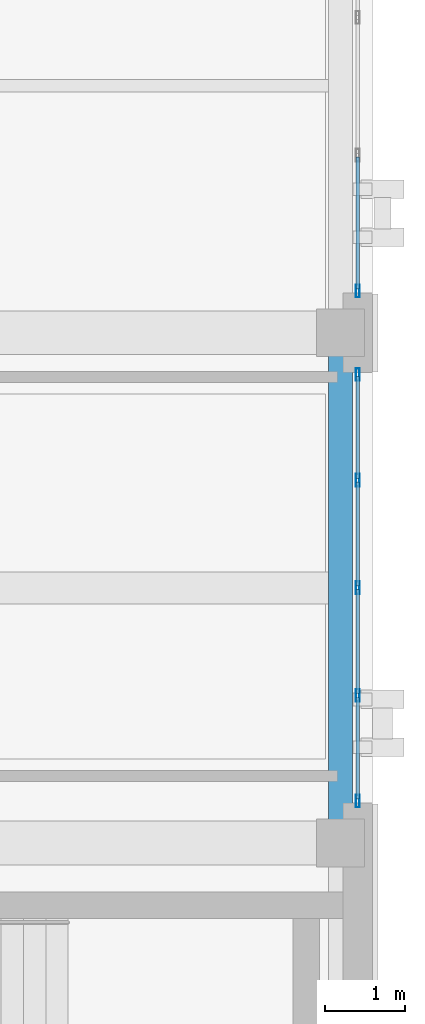
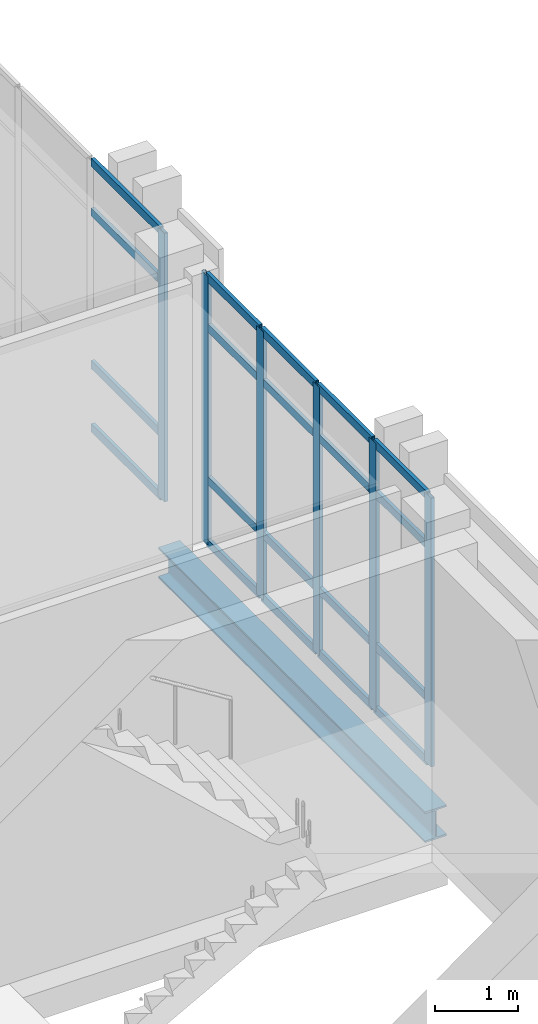
# One storey, part 41 of 77: 26 members, 1 beam, 2 elements without a shape of their own.
"""IFC4 building model written with IfcOpenShell, lengths in metres."""

from ifc_helpers import new_model, si_unit, direction, frame, origin, origin_2d, place, context, subcontext, project, spatial, hollow_rectangle, i_section, extrude, material, layer, layer_set, material_profile, profile_set, type_object, element, aggregate, save


model = new_model("IFC4")

# Units and contexts
model_context = context("Model", 3, precision=1e-05, world=origin(), true_north=direction((0.0, 1.0)))
body_context = subcontext(model_context, "Body", "Model", "MODEL_VIEW")
ifc_project = project(units=[si_unit("LENGTHUNIT", "METRE"), si_unit("AREAUNIT", "SQUARE_METRE"), si_unit("VOLUMEUNIT", "CUBIC_METRE"), si_unit("PLANEANGLEUNIT", "RADIAN"), si_unit("MASSUNIT", "GRAM", prefix="KILO")], contexts=[model_context])

# Site, building, storey
site_placement = place(None, origin())
site = spatial("IfcSite", under=ifc_project, at=site_placement, CompositionType="ELEMENT")
building_placement = place(site_placement, origin())
building = spatial("IfcBuilding", under=site, at=building_placement, Name="Qalavern Law Courts", CompositionType="ELEMENT")
storey_placement = place(building_placement, frame((0.0, 0.0, 27.0)))
storey = spatial("IfcBuildingStorey", under=building, at=storey_placement, Name="L06", CompositionType="ELEMENT", Elevation=27.0)

# Curtain wall, members
ifc_material_1 = material(Name="Anodised aluminium and insulated glazing", Category="aluminium")
ifc_layer = layer(ifc_material_1, 0.159912109375)
ifc_layer_set = layer_set([ifc_layer], Name="Anodised aluminium and insulated glazing")
curtain_wall_type = type_object("IfcCurtainWallType", Name="ENV-CW-CHAMB", PredefinedType="USERDEFINED", material=ifc_layer_set)
curtain_wall_1_placement = place(storey_placement, origin())
curtain_wall_1 = element("IfcCurtainWall", 1, at=curtain_wall_1_placement, inside=storey, type_object=curtain_wall_type, Name="V4 unitised curtain wall L06 east 4", ObjectType="UNITISED CURTAIN WALL", PredefinedType="USERDEFINED")
ifc_material_2 = material(Name="Anodised aluminium", Category="aluminium")
ifc_material_profile_1 = material_profile(ifc_material_2, hollow_rectangle(XDim=0.048095703125, YDim=0.159912109375, WallThickness=0.00390625, at=origin_2d()), Name="ALU MULLION 48x160")
ifc_profile_set_1 = profile_set([ifc_material_profile_1], Name="Anodised aluminium")
member_type_1 = type_object("IfcMemberType", Name="ENV-CWM-48x160", PredefinedType="MULLION", material=ifc_profile_set_1)
member_1_placement = place(storey_placement, frame((106.614990234375, 73.323974609375, 0.0), z_axis=(0.0, 0.0, 1.0), x_axis=(-1.0, 0.0, 0.0)))
member_1 = element("IfcMember", 2, at=member_1_placement, type_object=member_type_1, Name="CW-04 mullion 1", PredefinedType="MULLION", context=body_context, shape_type="SweptSolid", body=[
    extrude(hollow_rectangle(XDim=0.048095703125, YDim=0.159912109375, WallThickness=0.00390625, at=origin_2d()), origin(), (0.0, 0.0, 1.0), 3.93505859375),
])
member_2_placement = place(storey_placement, frame((106.614990234375, 74.64990234375, 0.0), z_axis=(0.0, 0.0, 1.0), x_axis=(-1.0, 0.0, 0.0)))
member_2 = element("IfcMember", 3, at=member_2_placement, type_object=member_type_1, Name="CW-04 mullion 2", PredefinedType="MULLION", context=body_context, shape_type="SweptSolid", body=[
    extrude(hollow_rectangle(XDim=0.048095703125, YDim=0.159912109375, WallThickness=0.00390625, at=origin_2d()), origin(), (0.0, 0.0, 1.0), 3.93505859375),
])
member_3_placement = place(storey_placement, frame((106.614990234375, 76.0, 0.0), z_axis=(0.0, 0.0, 1.0), x_axis=(-1.0, 0.0, 0.0)))
member_3 = element("IfcMember", 4, at=member_3_placement, type_object=member_type_1, Name="CW-04 mullion 3", PredefinedType="MULLION", context=body_context, shape_type="SweptSolid", body=[
    extrude(hollow_rectangle(XDim=0.048095703125, YDim=0.159912109375, WallThickness=0.00390625, at=origin_2d()), origin(), (0.0, 0.0, 1.0), 3.93505859375),
])
member_4_placement = place(storey_placement, frame((106.614990234375, 77.35009765625, 0.0), z_axis=(0.0, 0.0, 1.0), x_axis=(-1.0, 0.0, 0.0)))
member_4 = element("IfcMember", 5, at=member_4_placement, type_object=member_type_1, Name="CW-04 mullion 4", PredefinedType="MULLION", context=body_context, shape_type="SweptSolid", body=[
    extrude(hollow_rectangle(XDim=0.048095703125, YDim=0.159912109375, WallThickness=0.00390625, at=origin_2d()), origin(), (0.0, 0.0, 1.0), 3.93505859375),
])
member_5_placement = place(storey_placement, frame((106.614990234375, 78.676025390625, 0.0), z_axis=(0.0, 0.0, 1.0), x_axis=(-1.0, 0.0, 0.0)))
member_5 = element("IfcMember", 6, at=member_5_placement, type_object=member_type_1, Name="CW-04 mullion 5", PredefinedType="MULLION", context=body_context, shape_type="SweptSolid", body=[
    extrude(hollow_rectangle(XDim=0.048095703125, YDim=0.159912109375, WallThickness=0.00390625, at=origin_2d()), origin(), (0.0, 0.0, 1.0), 3.93505859375),
])

# Curtain wall, member
curtain_wall_2_placement = place(storey_placement, origin())
curtain_wall_2 = element("IfcCurtainWall", 7, at=curtain_wall_2_placement, inside=storey, type_object=curtain_wall_type, Name="V4 unitised curtain wall L06 east 5", ObjectType="UNITISED CURTAIN WALL", PredefinedType="USERDEFINED")
member_6_placement = place(storey_placement, frame((106.614990234375, 79.72412109375, 0.0), z_axis=(0.0, 0.0, 1.0), x_axis=(-1.0, 0.0, 0.0)))
member_6 = element("IfcMember", 8, at=member_6_placement, type_object=member_type_1, Name="CW-04 mullion 1", PredefinedType="MULLION", context=body_context, shape_type="SweptSolid", body=[
    extrude(hollow_rectangle(XDim=0.048095703125, YDim=0.159912109375, WallThickness=0.00390625, at=origin_2d()), origin(), (0.0, 0.0, 1.0), 3.93505859375),
])

# Member
ifc_material_profile_2 = material_profile(ifc_material_2, hollow_rectangle(XDim=0.048095703125, YDim=0.1201171875, WallThickness=0.00390625, at=origin_2d()), Name="ALU TRANSOM 48x120")
ifc_profile_set_2 = profile_set([ifc_material_profile_2], Name="Anodised aluminium")
member_type_2 = type_object("IfcMemberType", Name="ENV-CWT-48x120", PredefinedType="USERDEFINED", material=ifc_profile_set_2)
member_7_placement = place(storey_placement, frame((106.614990234375, 73.347900390625, 0.02392578125), z_axis=(0.0, 1.0, 0.0), x_axis=(-1.0, 0.0, 0.0)))
member_7 = element("IfcMember", 9, at=member_7_placement, type_object=member_type_2, Name="CW-04 transom 1.1", ObjectType="TRANSOM", PredefinedType="USERDEFINED", context=body_context, shape_type="SweptSolid", body=[
    extrude(hollow_rectangle(XDim=0.048095703125, YDim=0.1201171875, WallThickness=0.00390625, at=origin_2d()), origin(), (0.0, 0.0, 1.0), 1.278076171875),
])

member_8_placement = place(storey_placement, frame((106.614990234375, 73.347900390625, 0.949951171875), z_axis=(0.0, 1.0, 0.0), x_axis=(-1.0, 0.0, 0.0)))
member_8 = element("IfcMember", 10, at=member_8_placement, type_object=member_type_2, Name="CW-04 transom 1.2", ObjectType="TRANSOM", PredefinedType="USERDEFINED", context=body_context, shape_type="SweptSolid", body=[
    extrude(hollow_rectangle(XDim=0.048095703125, YDim=0.1201171875, WallThickness=0.00390625, at=origin_2d()), origin(), (0.0, 0.0, 1.0), 1.278076171875),
])

member_9_placement = place(storey_placement, frame((106.614990234375, 73.347900390625, 3.18505859375), z_axis=(0.0, 1.0, 0.0), x_axis=(-1.0, 0.0, 0.0)))
member_9 = element("IfcMember", 11, at=member_9_placement, type_object=member_type_2, Name="CW-04 transom 1.3", ObjectType="TRANSOM", PredefinedType="USERDEFINED", context=body_context, shape_type="SweptSolid", body=[
    extrude(hollow_rectangle(XDim=0.048095703125, YDim=0.1201171875, WallThickness=0.00390625, at=origin_2d()), origin(), (0.0, 0.0, 1.0), 1.278076171875),
])

member_10_placement = place(storey_placement, frame((106.614990234375, 73.347900390625, 3.910888671875), z_axis=(0.0, 1.0, 0.0), x_axis=(-1.0, 0.0, 0.0)))
member_10 = element("IfcMember", 12, at=member_10_placement, type_object=member_type_2, Name="CW-04 transom 1.4", ObjectType="TRANSOM", PredefinedType="USERDEFINED", context=body_context, shape_type="SweptSolid", body=[
    extrude(hollow_rectangle(XDim=0.048095703125, YDim=0.1201171875, WallThickness=0.00390625, at=origin_2d()), origin(), (0.0, 0.0, 1.0), 1.278076171875),
])

member_11_placement = place(storey_placement, frame((106.614990234375, 74.674072265625, 0.02392578125), z_axis=(0.0, 1.0, 0.0), x_axis=(-1.0, 0.0, 0.0)))
member_11 = element("IfcMember", 13, at=member_11_placement, type_object=member_type_2, Name="CW-04 transom 2.1", ObjectType="TRANSOM", PredefinedType="USERDEFINED", context=body_context, shape_type="SweptSolid", body=[
    extrude(hollow_rectangle(XDim=0.048095703125, YDim=0.1201171875, WallThickness=0.00390625, at=origin_2d()), origin(), (0.0, 0.0, 1.0), 1.302001953125),
])

member_12_placement = place(storey_placement, frame((106.614990234375, 74.674072265625, 0.949951171875), z_axis=(0.0, 1.0, 0.0), x_axis=(-1.0, 0.0, 0.0)))
member_12 = element("IfcMember", 14, at=member_12_placement, type_object=member_type_2, Name="CW-04 transom 2.2", ObjectType="TRANSOM", PredefinedType="USERDEFINED", context=body_context, shape_type="SweptSolid", body=[
    extrude(hollow_rectangle(XDim=0.048095703125, YDim=0.1201171875, WallThickness=0.00390625, at=origin_2d()), origin(), (0.0, 0.0, 1.0), 1.302001953125),
])

member_13_placement = place(storey_placement, frame((106.614990234375, 74.674072265625, 3.18505859375), z_axis=(0.0, 1.0, 0.0), x_axis=(-1.0, 0.0, 0.0)))
member_13 = element("IfcMember", 15, at=member_13_placement, type_object=member_type_2, Name="CW-04 transom 2.3", ObjectType="TRANSOM", PredefinedType="USERDEFINED", context=body_context, shape_type="SweptSolid", body=[
    extrude(hollow_rectangle(XDim=0.048095703125, YDim=0.1201171875, WallThickness=0.00390625, at=origin_2d()), origin(), (0.0, 0.0, 1.0), 1.302001953125),
])

member_14_placement = place(storey_placement, frame((106.614990234375, 74.674072265625, 3.910888671875), z_axis=(0.0, 1.0, 0.0), x_axis=(-1.0, 0.0, 0.0)))
member_14 = element("IfcMember", 16, at=member_14_placement, type_object=member_type_2, Name="CW-04 transom 2.4", ObjectType="TRANSOM", PredefinedType="USERDEFINED", context=body_context, shape_type="SweptSolid", body=[
    extrude(hollow_rectangle(XDim=0.048095703125, YDim=0.1201171875, WallThickness=0.00390625, at=origin_2d()), origin(), (0.0, 0.0, 1.0), 1.302001953125),
])

member_15_placement = place(storey_placement, frame((106.614990234375, 76.02392578125, 0.02392578125), z_axis=(0.0, 1.0, 0.0), x_axis=(-1.0, 0.0, 0.0)))
member_15 = element("IfcMember", 17, at=member_15_placement, type_object=member_type_2, Name="CW-04 transom 3.1", ObjectType="TRANSOM", PredefinedType="USERDEFINED", context=body_context, shape_type="SweptSolid", body=[
    extrude(hollow_rectangle(XDim=0.048095703125, YDim=0.1201171875, WallThickness=0.00390625, at=origin_2d()), origin(), (0.0, 0.0, 1.0), 1.302001953125),
])

member_16_placement = place(storey_placement, frame((106.614990234375, 76.02392578125, 0.949951171875), z_axis=(0.0, 1.0, 0.0), x_axis=(-1.0, 0.0, 0.0)))
member_16 = element("IfcMember", 18, at=member_16_placement, type_object=member_type_2, Name="CW-04 transom 3.2", ObjectType="TRANSOM", PredefinedType="USERDEFINED", context=body_context, shape_type="SweptSolid", body=[
    extrude(hollow_rectangle(XDim=0.048095703125, YDim=0.1201171875, WallThickness=0.00390625, at=origin_2d()), origin(), (0.0, 0.0, 1.0), 1.302001953125),
])

member_17_placement = place(storey_placement, frame((106.614990234375, 76.02392578125, 3.18505859375), z_axis=(0.0, 1.0, 0.0), x_axis=(-1.0, 0.0, 0.0)))
member_17 = element("IfcMember", 19, at=member_17_placement, type_object=member_type_2, Name="CW-04 transom 3.3", ObjectType="TRANSOM", PredefinedType="USERDEFINED", context=body_context, shape_type="SweptSolid", body=[
    extrude(hollow_rectangle(XDim=0.048095703125, YDim=0.1201171875, WallThickness=0.00390625, at=origin_2d()), origin(), (0.0, 0.0, 1.0), 1.302001953125),
])

member_18_placement = place(storey_placement, frame((106.614990234375, 76.02392578125, 3.910888671875), z_axis=(0.0, 1.0, 0.0), x_axis=(-1.0, 0.0, 0.0)))
member_18 = element("IfcMember", 20, at=member_18_placement, type_object=member_type_2, Name="CW-04 transom 3.4", ObjectType="TRANSOM", PredefinedType="USERDEFINED", context=body_context, shape_type="SweptSolid", body=[
    extrude(hollow_rectangle(XDim=0.048095703125, YDim=0.1201171875, WallThickness=0.00390625, at=origin_2d()), origin(), (0.0, 0.0, 1.0), 1.302001953125),
])

member_19_placement = place(storey_placement, frame((106.614990234375, 77.3740234375, 0.02392578125), z_axis=(0.0, 1.0, 0.0), x_axis=(-1.0, 0.0, 0.0)))
member_19 = element("IfcMember", 21, at=member_19_placement, type_object=member_type_2, Name="CW-04 transom 4.1", ObjectType="TRANSOM", PredefinedType="USERDEFINED", context=body_context, shape_type="SweptSolid", body=[
    extrude(hollow_rectangle(XDim=0.048095703125, YDim=0.1201171875, WallThickness=0.00390625, at=origin_2d()), origin(), (0.0, 0.0, 1.0), 1.278076171875),
])

member_20_placement = place(storey_placement, frame((106.614990234375, 77.3740234375, 0.949951171875), z_axis=(0.0, 1.0, 0.0), x_axis=(-1.0, 0.0, 0.0)))
member_20 = element("IfcMember", 22, at=member_20_placement, type_object=member_type_2, Name="CW-04 transom 4.2", ObjectType="TRANSOM", PredefinedType="USERDEFINED", context=body_context, shape_type="SweptSolid", body=[
    extrude(hollow_rectangle(XDim=0.048095703125, YDim=0.1201171875, WallThickness=0.00390625, at=origin_2d()), origin(), (0.0, 0.0, 1.0), 1.278076171875),
])

member_21_placement = place(storey_placement, frame((106.614990234375, 77.3740234375, 3.18505859375), z_axis=(0.0, 1.0, 0.0), x_axis=(-1.0, 0.0, 0.0)))
member_21 = element("IfcMember", 23, at=member_21_placement, type_object=member_type_2, Name="CW-04 transom 4.3", ObjectType="TRANSOM", PredefinedType="USERDEFINED", context=body_context, shape_type="SweptSolid", body=[
    extrude(hollow_rectangle(XDim=0.048095703125, YDim=0.1201171875, WallThickness=0.00390625, at=origin_2d()), origin(), (0.0, 0.0, 1.0), 1.278076171875),
])

member_22_placement = place(storey_placement, frame((106.614990234375, 77.3740234375, 3.910888671875), z_axis=(0.0, 1.0, 0.0), x_axis=(-1.0, 0.0, 0.0)))
member_22 = element("IfcMember", 24, at=member_22_placement, type_object=member_type_2, Name="CW-04 transom 4.4", ObjectType="TRANSOM", PredefinedType="USERDEFINED", context=body_context, shape_type="SweptSolid", body=[
    extrude(hollow_rectangle(XDim=0.048095703125, YDim=0.1201171875, WallThickness=0.00390625, at=origin_2d()), origin(), (0.0, 0.0, 1.0), 1.278076171875),
])

aggregate(curtain_wall_1, [member_1, member_2, member_3, member_4, member_5, member_7, member_8, member_9, member_10, member_11, member_12, member_13, member_14, member_15, member_16, member_17, member_18, member_19, member_20, member_21, member_22])

member_23_placement = place(storey_placement, frame((106.614990234375, 79.748046875, 0.02392578125), z_axis=(0.0, 1.0, 0.0), x_axis=(-1.0, 0.0, 0.0)))
member_23 = element("IfcMember", 25, at=member_23_placement, type_object=member_type_2, Name="CW-04 transom 1.1", ObjectType="TRANSOM", PredefinedType="USERDEFINED", context=body_context, shape_type="SweptSolid", body=[
    extrude(hollow_rectangle(XDim=0.048095703125, YDim=0.1201171875, WallThickness=0.00390625, at=origin_2d()), origin(), (0.0, 0.0, 1.0), 1.65625),
])

member_24_placement = place(storey_placement, frame((106.614990234375, 79.748046875, 0.949951171875), z_axis=(0.0, 1.0, 0.0), x_axis=(-1.0, 0.0, 0.0)))
member_24 = element("IfcMember", 26, at=member_24_placement, type_object=member_type_2, Name="CW-04 transom 1.2", ObjectType="TRANSOM", PredefinedType="USERDEFINED", context=body_context, shape_type="SweptSolid", body=[
    extrude(hollow_rectangle(XDim=0.048095703125, YDim=0.1201171875, WallThickness=0.00390625, at=origin_2d()), origin(), (0.0, 0.0, 1.0), 1.65625),
])

member_25_placement = place(storey_placement, frame((106.614990234375, 79.748046875, 3.18505859375), z_axis=(0.0, 1.0, 0.0), x_axis=(-1.0, 0.0, 0.0)))
member_25 = element("IfcMember", 27, at=member_25_placement, type_object=member_type_2, Name="CW-04 transom 1.3", ObjectType="TRANSOM", PredefinedType="USERDEFINED", context=body_context, shape_type="SweptSolid", body=[
    extrude(hollow_rectangle(XDim=0.048095703125, YDim=0.1201171875, WallThickness=0.00390625, at=origin_2d()), origin(), (0.0, 0.0, 1.0), 1.65625),
])

member_26_placement = place(storey_placement, frame((106.614990234375, 79.748046875, 3.910888671875), z_axis=(0.0, 1.0, 0.0), x_axis=(-1.0, 0.0, 0.0)))
member_26 = element("IfcMember", 28, at=member_26_placement, type_object=member_type_2, Name="CW-04 transom 1.4", ObjectType="TRANSOM", PredefinedType="USERDEFINED", context=body_context, shape_type="SweptSolid", body=[
    extrude(hollow_rectangle(XDim=0.048095703125, YDim=0.1201171875, WallThickness=0.00390625, at=origin_2d()), origin(), (0.0, 0.0, 1.0), 1.65625),
])

aggregate(curtain_wall_2, [member_6, member_23, member_24, member_25, member_26])

# Beam
ifc_material_3 = material(Name="Steel S355", Category="steel")
ifc_material_profile_3 = material_profile(ifc_material_3, i_section(OverallWidth=0.300048828125, OverallDepth=0.449951171875, WebThickness=0.013916015625, FlangeThickness=0.02587890625, FilletRadius=0.027099609375, at=origin_2d()), Name="HEB 450")
ifc_profile_set_3 = profile_set([ifc_material_profile_3], Name="Steel S355")
beam_type = type_object("IfcBeamType", Name="STR-SP-HEB450", PredefinedType="SPANDREL", material=ifc_profile_set_3)
beam_placement = place(storey_placement, frame((106.39990234375, 72.800048828125, -0.4951171875), z_axis=(0.0, 1.0, 0.0), x_axis=(-1.0, 0.0, 0.0)))
element("IfcBeam", 29, at=beam_placement, inside=storey, type_object=beam_type, Name="V4 Y-beam 3-5 L06", PredefinedType="SPANDREL", context=body_context, shape_type="SweptSolid", body=[
    extrude(i_section(OverallWidth=0.300048828125, OverallDepth=0.449951171875, WebThickness=0.013916015625, FlangeThickness=0.02587890625, FilletRadius=0.027099609375, at=origin_2d()), origin(), (0.0, 0.0, 1.0), 6.39990234375),
])

save(model, "model.ifc")
